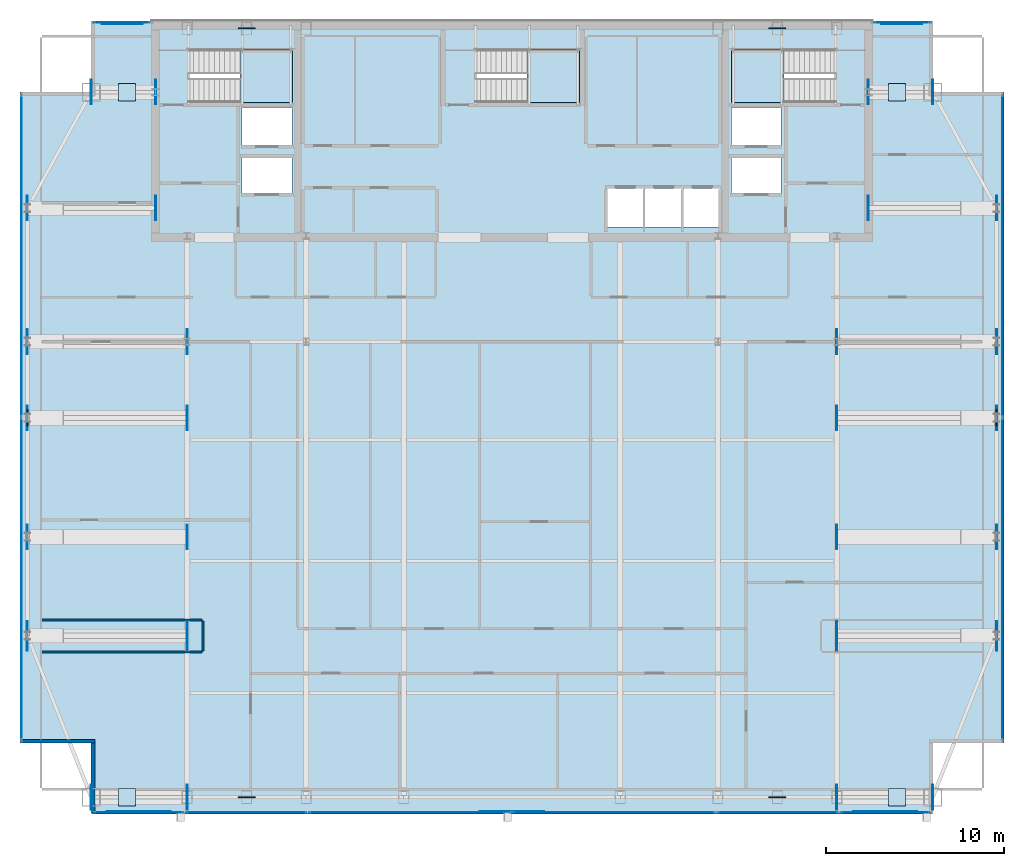
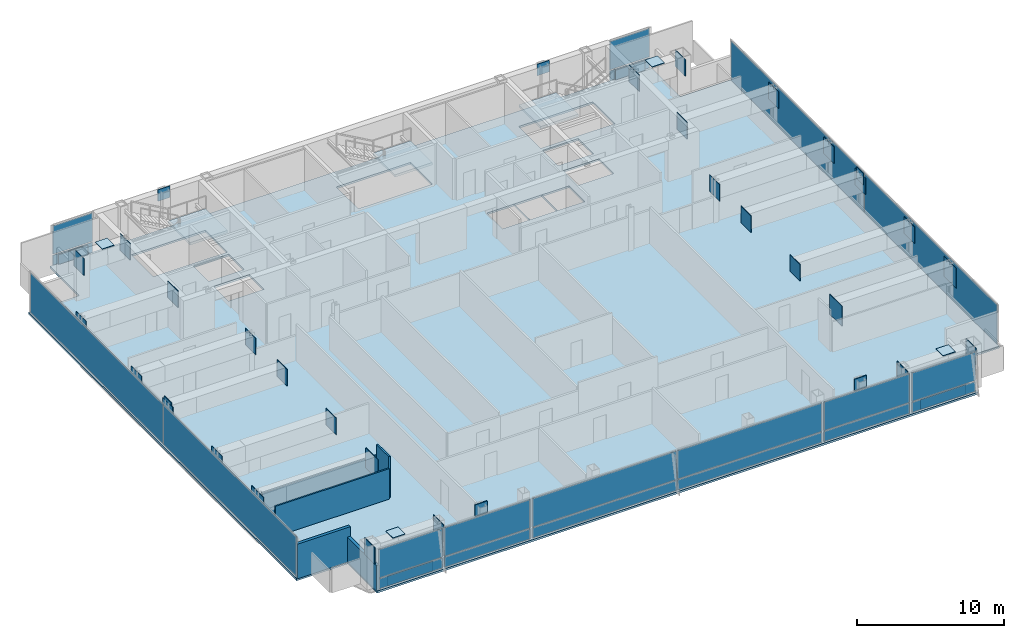
# One storey, part 20 of 26: 63 plates, 5 walls, 4 slabs, 12 elements without a shape of their own.
"""IFC4 building model written with IfcOpenShell, lengths in metres."""

from ifc_helpers import new_model, si_unit, direction, frame, frame_2d, origin, origin_2d, place, context, subcontext, project, spatial, polyline, rectangle, outline, extrude, material, layer, layer_set, type_object, element, aggregate, save


model = new_model("IFC4")

# Units and contexts
model_context = context("Model", 3, precision=1e-05, world=origin(), true_north=direction((0.0, 1.0)))
body_context = subcontext(model_context, "Body", "Model", "MODEL_VIEW")
ifc_project = project(units=[si_unit("LENGTHUNIT", "METRE"), si_unit("AREAUNIT", "SQUARE_METRE"), si_unit("VOLUMEUNIT", "CUBIC_METRE"), si_unit("PLANEANGLEUNIT", "RADIAN"), si_unit("MASSUNIT", "GRAM", prefix="KILO")], contexts=[model_context])

# Site, building, storey
site_placement = place(None, origin())
site = spatial("IfcSite", under=ifc_project, at=site_placement, CompositionType="ELEMENT")
building_placement = place(site_placement, origin())
building = spatial("IfcBuilding", under=site, at=building_placement, Name="Khoronbel Lancet Exchange", CompositionType="ELEMENT")
storey_placement = place(building_placement, frame((0.0, 0.0, 287.800048828125)))
storey = spatial("IfcBuildingStorey", under=building, at=storey_placement, Name="L74", CompositionType="ELEMENT", Elevation=287.800048828125)

# Curtain wall, plates
ifc_material_1 = material(Name="Low-E Solar Control Insulating Glass", Category="glass")
curtain_wall_type_1 = type_object("IfcCurtainWallType", Name="CW-4", PredefinedType="NOTDEFINED", material=ifc_material_1)
curtain_wall_1_placement = place(storey_placement, origin())
curtain_wall_1 = element("IfcCurtainWall", 1, at=curtain_wall_1_placement, inside=storey, type_object=curtain_wall_type_1, Name="Unitised curtain wall CW-L74-E03", PredefinedType="NOTDEFINED")
ifc_material_2 = material(Name="Bronze-Anodised Aluminium 6063-T6", Category="aluminium")
ifc_layer_1 = layer(ifc_material_2, 0.050048828125, Name="Bronze-Anodised Aluminium 6063-T6")
ifc_layer_set_1 = layer_set([ifc_layer_1], Name="Bronze-Anodised Aluminium 6063-T6")
plate_type_1 = type_object("IfcPlateType", Name="PLT-CSP1", PredefinedType="SHEET", material=ifc_layer_set_1)
plate_1_placement = place(storey_placement, frame((8.93994140625, 22.388671875, 0.0849609375), z_axis=(0.0, 0.0, 1.0), x_axis=(0.0, 1.0, 0.0)))
plate_1 = element("IfcPlate", 2, at=plate_1_placement, type_object=plate_type_1, Name="CW4 panel 1.1", PredefinedType="CURTAIN_PANEL", context=body_context, shape_type="SweptSolid", body=[
    extrude(rectangle(XDim=18.047607421875, YDim=0.0380859375, at=origin_2d()), origin(), (0.0, 0.0, 1.0), 3.27001953125),
])
plate_2_placement = place(storey_placement, frame((8.93994140625, 40.51123046875, 0.0849609375), z_axis=(0.0, 0.0, 1.0), x_axis=(0.0, 1.0, 0.0)))
plate_2 = element("IfcPlate", 3, at=plate_2_placement, type_object=plate_type_1, Name="CW4 panel 2.1", PredefinedType="CURTAIN_PANEL", context=body_context, shape_type="SweptSolid", body=[
    extrude(rectangle(XDim=18.047607421875, YDim=0.0380859375, at=origin_2d()), origin(), (0.0, 0.0, 1.0), 3.27001953125),
])
aggregate(curtain_wall_1, [plate_1, plate_2])

# Curtain wall, plate
curtain_wall_type_2 = type_object("IfcCurtainWallType", Name="CW-3", PredefinedType="NOTDEFINED", material=ifc_material_1)
curtain_wall_2_placement = place(storey_placement, origin())
curtain_wall_2 = element("IfcCurtainWall", 4, at=curtain_wall_2_placement, inside=storey, type_object=curtain_wall_type_2, Name="Unitised curtain wall CW-L74-NWFLK", PredefinedType="NOTDEFINED")
plate_3_placement = place(storey_placement, frame((14.580078125, 53.550048828125, 0.0498046875), z_axis=(0.0, 0.0, 1.0), x_axis=(-1.0, 0.0, 0.0)))
plate_3 = element("IfcPlate", 5, at=plate_3_placement, type_object=plate_type_1, Name="Insulated bronze spandrel cassette CW-L74-NWFLK", PredefinedType="SHEET", context=body_context, shape_type="SweptSolid", body=[
    extrude(rectangle(XDim=2.2958984375, YDim=0.050048828125, at=origin_2d()), origin(), (0.0, 0.0, 1.0), 0.800048828125),
])

curtain_wall_3_placement = place(storey_placement, origin())
curtain_wall_3 = element("IfcCurtainWall", 6, at=curtain_wall_3_placement, inside=storey, type_object=curtain_wall_type_2, Name="Unitised curtain wall CW-L74-NEFLK", PredefinedType="NOTDEFINED")
plate_4_placement = place(storey_placement, frame((58.320068359375, 53.550048828125, 0.0498046875), z_axis=(0.0, 0.0, 1.0), x_axis=(-1.0, 0.0, 0.0)))
plate_4 = element("IfcPlate", 7, at=plate_4_placement, type_object=plate_type_1, Name="Insulated bronze spandrel cassette CW-L74-NEFLK", PredefinedType="SHEET", context=body_context, shape_type="SweptSolid", body=[
    extrude(rectangle(XDim=2.2958984375, YDim=0.050048828125, at=origin_2d()), origin(), (0.0, 0.0, 1.0), 0.800048828125),
])

# Curtain wall, plates
curtain_wall_4_placement = place(storey_placement, origin())
curtain_wall_4 = element("IfcCurtainWall", 8, at=curtain_wall_4_placement, inside=storey, type_object=curtain_wall_type_1, Name="Unitised curtain wall CW-L74-E09", PredefinedType="NOTDEFINED")
plate_5_placement = place(storey_placement, frame((63.9599609375, 40.51123046875, 0.0849609375), z_axis=(0.0, 0.0, 1.0), x_axis=(0.0, -1.0, 0.0)))
plate_5 = element("IfcPlate", 9, at=plate_5_placement, type_object=plate_type_1, Name="CW4 panel 1.1", PredefinedType="CURTAIN_PANEL", context=body_context, shape_type="SweptSolid", body=[
    extrude(rectangle(XDim=18.047607421875, YDim=0.0380859375, at=origin_2d()), origin(), (0.0, 0.0, 1.0), 3.27001953125),
])
plate_6_placement = place(storey_placement, frame((63.9599609375, 22.388671875, 0.0849609375), z_axis=(0.0, 0.0, 1.0), x_axis=(0.0, -1.0, 0.0)))
plate_6 = element("IfcPlate", 10, at=plate_6_placement, type_object=plate_type_1, Name="CW4 panel 2.1", PredefinedType="CURTAIN_PANEL", context=body_context, shape_type="SweptSolid", body=[
    extrude(rectangle(XDim=18.047607421875, YDim=0.0380859375, at=origin_2d()), origin(), (0.0, 0.0, 1.0), 3.27001953125),
])
aggregate(curtain_wall_4, [plate_5, plate_6])

# Curtain wall, plate
curtain_wall_5_placement = place(storey_placement, origin())
curtain_wall_5 = element("IfcCurtainWall", 11, at=curtain_wall_5_placement, inside=storey, type_object=curtain_wall_type_2, Name="Unitised curtain wall CW-L74-SWV", PredefinedType="NOTDEFINED")
plate_7_placement = place(storey_placement, frame((15.52001953125, 9.35009765625, 0.0498046875), z_axis=(0.0, 0.0, 1.0), x_axis=(1.0, 0.0, 0.0)))
plate_7 = element("IfcPlate", 12, at=plate_7_placement, type_object=plate_type_1, Name="Insulated bronze spandrel cassette CW-L74-SWV", PredefinedType="SHEET", context=body_context, shape_type="SweptSolid", body=[
    extrude(rectangle(XDim=3.60009765625, YDim=0.050048828125, at=origin_2d()), origin(), (0.0, 0.0, 1.0), 0.800048828125),
])

# Curtain wall, plates
curtain_wall_6_placement = place(storey_placement, origin())
curtain_wall_6 = element("IfcCurtainWall", 13, at=curtain_wall_6_placement, inside=storey, type_object=curtain_wall_type_2, Name="Unitised curtain wall CW-L74-SWB", PredefinedType="NOTDEFINED")
plate_8_placement = place(storey_placement, frame((21.550048828125, 9.2900390625, 0.0849609375), z_axis=(0.0, 0.0, 1.0), x_axis=(1.0, 0.0, 0.0)))
plate_8 = element("IfcPlate", 14, at=plate_8_placement, type_object=plate_type_1, Name="CW3 panel 1.1", PredefinedType="CURTAIN_PANEL", context=body_context, shape_type="SweptSolid", body=[
    extrude(rectangle(XDim=6.72998046875, YDim=0.0380859375, at=origin_2d()), origin(), (0.0, 0.0, 1.0), 0.822509765625),
])
plate_9_placement = place(storey_placement, frame((21.550048828125, 9.2900390625, 0.9921875), z_axis=(0.0, 0.0, 1.0), x_axis=(1.0, 0.0, 0.0)))
plate_9 = element("IfcPlate", 15, at=plate_9_placement, type_object=plate_type_1, Name="CW3 panel 1.2", PredefinedType="CURTAIN_PANEL", context=body_context, shape_type="SweptSolid", body=[
    extrude(rectangle(XDim=6.72998046875, YDim=0.0380859375, at=origin_2d()), origin(), (0.0, 0.0, 1.0), 2.362548828125),
])
aggregate(curtain_wall_6, [plate_8, plate_9])

# Curtain wall, plate
curtain_wall_7_placement = place(storey_placement, origin())
curtain_wall_7 = element("IfcCurtainWall", 16, at=curtain_wall_7_placement, inside=storey, type_object=curtain_wall_type_2, Name="Unitised curtain wall CW-L74-SCV", PredefinedType="NOTDEFINED")
plate_10_placement = place(storey_placement, frame((36.449951171875, 9.35009765625, 0.0498046875), z_axis=(0.0, 0.0, 1.0), x_axis=(1.0, 0.0, 0.0)))
plate_10 = element("IfcPlate", 17, at=plate_10_placement, type_object=plate_type_1, Name="Insulated bronze spandrel cassette CW-L74-SCV", PredefinedType="SHEET", context=body_context, shape_type="SweptSolid", body=[
    extrude(rectangle(XDim=3.60009765625, YDim=0.050048828125, at=origin_2d()), origin(), (0.0, 0.0, 1.0), 0.800048828125),
])

# Curtain wall, plates
curtain_wall_8_placement = place(storey_placement, origin())
curtain_wall_8 = element("IfcCurtainWall", 18, at=curtain_wall_8_placement, inside=storey, type_object=curtain_wall_type_2, Name="Unitised curtain wall CW-L74-SEB", PredefinedType="NOTDEFINED")
plate_11_placement = place(storey_placement, frame((51.35009765625, 9.2900390625, 0.0849609375), z_axis=(0.0, 0.0, 1.0), x_axis=(1.0, 0.0, 0.0)))
plate_11 = element("IfcPlate", 19, at=plate_11_placement, type_object=plate_type_1, Name="CW3 panel 1.1", PredefinedType="CURTAIN_PANEL", context=body_context, shape_type="SweptSolid", body=[
    extrude(rectangle(XDim=6.72998046875, YDim=0.0380859375, at=origin_2d()), origin(), (0.0, 0.0, 1.0), 0.822509765625),
])
plate_12_placement = place(storey_placement, frame((51.35009765625, 9.2900390625, 0.9921875), z_axis=(0.0, 0.0, 1.0), x_axis=(1.0, 0.0, 0.0)))
plate_12 = element("IfcPlate", 20, at=plate_12_placement, type_object=plate_type_1, Name="CW3 panel 1.2", PredefinedType="CURTAIN_PANEL", context=body_context, shape_type="SweptSolid", body=[
    extrude(rectangle(XDim=6.72998046875, YDim=0.0380859375, at=origin_2d()), origin(), (0.0, 0.0, 1.0), 2.362548828125),
])
aggregate(curtain_wall_8, [plate_11, plate_12])

# Curtain wall, plate
curtain_wall_9_placement = place(storey_placement, origin())
curtain_wall_9 = element("IfcCurtainWall", 21, at=curtain_wall_9_placement, inside=storey, type_object=curtain_wall_type_2, Name="Unitised curtain wall CW-L74-SEV", PredefinedType="NOTDEFINED")
plate_13_placement = place(storey_placement, frame((57.3798828125, 9.35009765625, 0.0498046875), z_axis=(0.0, 0.0, 1.0), x_axis=(1.0, 0.0, 0.0)))
plate_13 = element("IfcPlate", 22, at=plate_13_placement, type_object=plate_type_1, Name="Insulated bronze spandrel cassette CW-L74-SEV", PredefinedType="SHEET", context=body_context, shape_type="SweptSolid", body=[
    extrude(rectangle(XDim=3.60009765625, YDim=0.050048828125, at=origin_2d()), origin(), (0.0, 0.0, 1.0), 0.800048828125),
])

# Plate
ifc_layer_2 = layer(ifc_material_1, 0.035888671875, Name="Low-E Solar Control Insulating Glass")
ifc_layer_set_2 = layer_set([ifc_layer_2], Name="Low-E Solar Control Insulating Glass")
plate_type_2 = type_object("IfcPlateType", Name="PLT-CWP1", PredefinedType="CURTAIN_PANEL", material=ifc_layer_set_2)
plate_14_placement = place(storey_placement, frame((14.580078125, 53.610107421875, 0.0849609375), z_axis=(0.0, 0.0, 1.0), x_axis=(-1.0, 0.0, 0.0)))
plate_14 = element("IfcPlate", 23, at=plate_14_placement, type_object=plate_type_2, Name="CW3 panel 1.1", PredefinedType="CURTAIN_PANEL", context=body_context, shape_type="SweptSolid", body=[
    extrude(rectangle(XDim=3.110107421875, YDim=0.0380859375, at=origin_2d()), origin(), (0.0, 0.0, 1.0), 0.822509765625),
])

plate_15_placement = place(storey_placement, frame((14.580078125, 53.610107421875, 0.9921875), z_axis=(0.0, 0.0, 1.0), x_axis=(-1.0, 0.0, 0.0)))
plate_15 = element("IfcPlate", 24, at=plate_15_placement, type_object=plate_type_2, Name="CW3 panel 1.2", PredefinedType="CURTAIN_PANEL", context=body_context, shape_type="SweptSolid", body=[
    extrude(rectangle(XDim=3.110107421875, YDim=0.0380859375, at=origin_2d()), origin(), (0.0, 0.0, 1.0), 2.362548828125),
])

aggregate(curtain_wall_2, [plate_14, plate_15, plate_3])

plate_16_placement = place(storey_placement, frame((58.320068359375, 53.610107421875, 0.0849609375), z_axis=(0.0, 0.0, 1.0), x_axis=(-1.0, 0.0, 0.0)))
plate_16 = element("IfcPlate", 25, at=plate_16_placement, type_object=plate_type_2, Name="CW3 panel 1.1", PredefinedType="CURTAIN_PANEL", context=body_context, shape_type="SweptSolid", body=[
    extrude(rectangle(XDim=3.110107421875, YDim=0.0380859375, at=origin_2d()), origin(), (0.0, 0.0, 1.0), 0.822509765625),
])

plate_17_placement = place(storey_placement, frame((58.320068359375, 53.610107421875, 0.9921875), z_axis=(0.0, 0.0, 1.0), x_axis=(-1.0, 0.0, 0.0)))
plate_17 = element("IfcPlate", 26, at=plate_17_placement, type_object=plate_type_2, Name="CW3 panel 1.2", PredefinedType="CURTAIN_PANEL", context=body_context, shape_type="SweptSolid", body=[
    extrude(rectangle(XDim=3.110107421875, YDim=0.0380859375, at=origin_2d()), origin(), (0.0, 0.0, 1.0), 2.362548828125),
])

aggregate(curtain_wall_3, [plate_16, plate_17, plate_4])

plate_18_placement = place(storey_placement, frame((15.52001953125, 9.2900390625, 0.0849609375), z_axis=(0.0, 0.0, 1.0), x_axis=(1.0, 0.0, 0.0)))
plate_18 = element("IfcPlate", 27, at=plate_18_placement, type_object=plate_type_2, Name="CW3 panel 1.1", PredefinedType="CURTAIN_PANEL", context=body_context, shape_type="SweptSolid", body=[
    extrude(rectangle(XDim=4.989990234375, YDim=0.0380859375, at=origin_2d()), origin(), (0.0, 0.0, 1.0), 0.822509765625),
])

plate_19_placement = place(storey_placement, frame((15.52001953125, 9.2900390625, 0.9921875), z_axis=(0.0, 0.0, 1.0), x_axis=(1.0, 0.0, 0.0)))
plate_19 = element("IfcPlate", 28, at=plate_19_placement, type_object=plate_type_2, Name="CW3 panel 1.2", PredefinedType="CURTAIN_PANEL", context=body_context, shape_type="SweptSolid", body=[
    extrude(rectangle(XDim=4.989990234375, YDim=0.0380859375, at=origin_2d()), origin(), (0.0, 0.0, 1.0), 2.362548828125),
])

aggregate(curtain_wall_5, [plate_18, plate_19, plate_7])

plate_20_placement = place(storey_placement, frame((30.746337890625, 9.2900390625, 0.0849609375), z_axis=(0.0, 0.0, 1.0), x_axis=(1.0, 0.0, 0.0)))
plate_20 = element("IfcPlate", 29, at=plate_20_placement, type_object=plate_type_2, Name="CW3 panel 1.1", PredefinedType="CURTAIN_PANEL", context=body_context, shape_type="SweptSolid", body=[
    extrude(rectangle(XDim=11.322509765625, YDim=0.0380859375, at=origin_2d()), origin(), (0.0, 0.0, 1.0), 0.822509765625),
])

plate_21_placement = place(storey_placement, frame((30.746337890625, 9.2900390625, 0.9921875), z_axis=(0.0, 0.0, 1.0), x_axis=(1.0, 0.0, 0.0)))
plate_21 = element("IfcPlate", 30, at=plate_21_placement, type_object=plate_type_2, Name="CW3 panel 1.2", PredefinedType="CURTAIN_PANEL", context=body_context, shape_type="SweptSolid", body=[
    extrude(rectangle(XDim=11.322509765625, YDim=0.0380859375, at=origin_2d()), origin(), (0.0, 0.0, 1.0), 2.362548828125),
])

plate_22_placement = place(storey_placement, frame((42.15380859375, 9.2900390625, 0.0849609375), z_axis=(0.0, 0.0, 1.0), x_axis=(1.0, 0.0, 0.0)))
plate_22 = element("IfcPlate", 31, at=plate_22_placement, type_object=plate_type_2, Name="CW3 panel 2.1", PredefinedType="CURTAIN_PANEL", context=body_context, shape_type="SweptSolid", body=[
    extrude(rectangle(XDim=11.322509765625, YDim=0.0380859375, at=origin_2d()), origin(), (0.0, 0.0, 1.0), 0.822509765625),
])

plate_23_placement = place(storey_placement, frame((42.15380859375, 9.2900390625, 0.9921875), z_axis=(0.0, 0.0, 1.0), x_axis=(1.0, 0.0, 0.0)))
plate_23 = element("IfcPlate", 32, at=plate_23_placement, type_object=plate_type_2, Name="CW3 panel 2.2", PredefinedType="CURTAIN_PANEL", context=body_context, shape_type="SweptSolid", body=[
    extrude(rectangle(XDim=11.322509765625, YDim=0.0380859375, at=origin_2d()), origin(), (0.0, 0.0, 1.0), 2.362548828125),
])

aggregate(curtain_wall_7, [plate_20, plate_21, plate_22, plate_23, plate_10])

plate_24_placement = place(storey_placement, frame((57.3798828125, 9.2900390625, 0.0849609375), z_axis=(0.0, 0.0, 1.0), x_axis=(1.0, 0.0, 0.0)))
plate_24 = element("IfcPlate", 33, at=plate_24_placement, type_object=plate_type_2, Name="CW3 panel 1.1", PredefinedType="CURTAIN_PANEL", context=body_context, shape_type="SweptSolid", body=[
    extrude(rectangle(XDim=4.989990234375, YDim=0.0380859375, at=origin_2d()), origin(), (0.0, 0.0, 1.0), 0.822509765625),
])

plate_25_placement = place(storey_placement, frame((57.3798828125, 9.2900390625, 0.9921875), z_axis=(0.0, 0.0, 1.0), x_axis=(1.0, 0.0, 0.0)))
plate_25 = element("IfcPlate", 34, at=plate_25_placement, type_object=plate_type_2, Name="CW3 panel 1.2", PredefinedType="CURTAIN_PANEL", context=body_context, shape_type="SweptSolid", body=[
    extrude(rectangle(XDim=4.989990234375, YDim=0.0380859375, at=origin_2d()), origin(), (0.0, 0.0, 1.0), 2.362548828125),
])

aggregate(curtain_wall_9, [plate_24, plate_25, plate_13])

# Plates
ifc_material_3 = material(Name="Steel S460", Category="steel")
ifc_layer_3 = layer(ifc_material_3, 0.044921875, Name="Steel S460")
ifc_layer_set_3 = layer_set([ifc_layer_3], Name="Steel S460")
plate_type_3 = type_object("IfcPlateType", Name="PLT-ECP1", PredefinedType="USERDEFINED", material=ifc_layer_set_3)
for number, where, z_axis, x_axis, name in (
    (35, (12.840087890625, 10.14990234375, 2.090087890625), (0.0, 0.0, 1.0), (-1.0, 0.0, 0.0), "Hollow end cap plate PLT-CAP-BM-L74-ZTG-MC-SW-0"),
    (36, (18.235107421875, 10.14990234375, 2.090087890625), (0.0, 0.0, 1.0), (1.0, 0.0, 0.0), "Hollow end cap plate PLT-CAP-BM-L74-ZTG-MC-SW-1"),
    (37, (54.6650390625, 10.14990234375, 2.090087890625), (0.0, 0.0, 1.0), (-1.0, 0.0, 0.0), "Hollow end cap plate PLT-CAP-BM-L74-ZTG-MC-SE-0"),
    (38, (60.06005859375, 10.14990234375, 2.090087890625), (0.0, 0.0, 1.0), (1.0, 0.0, 0.0), "Hollow end cap plate PLT-CAP-BM-L74-ZTG-MC-SE-1"),
    (39, (12.840087890625, 49.699951171875, 2.090087890625), (0.0, 0.0, 1.0), (-1.0, 0.0, 0.0), "Hollow end cap plate PLT-CAP-BM-L74-ZTG-MC-NW-0"),
    (40, (16.4599609375, 49.699951171875, 2.090087890625), (0.0, 0.0, 1.0), (1.0, 0.0, 0.0), "Hollow end cap plate PLT-CAP-BM-L74-ZTG-MC-NW-1"),
    (41, (56.43994140625, 49.699951171875, 2.090087890625), (0.0, 0.0, 1.0), (-1.0, 0.0, 0.0), "Hollow end cap plate PLT-CAP-BM-L74-ZTG-MC-NE-0"),
    (42, (60.06005859375, 49.699951171875, 2.090087890625), (0.0, 0.0, 1.0), (1.0, 0.0, 0.0), "Hollow end cap plate PLT-CAP-BM-L74-ZTG-MC-NE-1"),
):
    element("IfcPlate", number, at=place(storey_placement, frame(where, z_axis=z_axis, x_axis=x_axis)), inside=storey, type_object=plate_type_3, Name=name, ObjectType="STIFFENER_PLATE", PredefinedType="USERDEFINED", context=body_context, shape_type="SweptSolid", body=[
        extrude(rectangle(XDim=0.044921875, YDim=1.3798828125, at=origin_2d()), origin(), (0.0, 0.0, 1.0), 1.3798828125),
    ])
for number, where, z_axis, x_axis, name in (
    (43, (9.260009765625, 19.199951171875, 1.81005859375), (0.0, 0.0, 1.0), (-1.0, 0.0, 0.0), "Hollow end cap plate PLT-CAP-BM-L74-ZTG-LW1-0"),
    (44, (18.235107421875, 19.199951171875, 1.81005859375), (0.0, 0.0, 1.0), (1.0, 0.0, 0.0), "Hollow end cap plate PLT-CAP-BM-L74-ZTG-LW1-1"),
    (45, (54.6650390625, 19.199951171875, 1.81005859375), (0.0, 0.0, 1.0), (-1.0, 0.0, 0.0), "Hollow end cap plate PLT-CAP-BM-L74-ZTG-LE1-0"),
    (46, (63.639892578125, 19.199951171875, 1.81005859375), (0.0, 0.0, 1.0), (1.0, 0.0, 0.0), "Hollow end cap plate PLT-CAP-BM-L74-ZTG-LE1-1"),
):
    element("IfcPlate", number, at=place(storey_placement, frame(where, z_axis=z_axis, x_axis=x_axis)), inside=storey, type_object=plate_type_3, Name=name, ObjectType="STIFFENER_PLATE", PredefinedType="USERDEFINED", context=body_context, shape_type="SweptSolid", body=[
        extrude(rectangle(XDim=0.044921875, YDim=1.659912109375, at=origin_2d()), origin(), (0.0, 0.0, 1.0), 1.659912109375),
    ])
for number, where, z_axis, x_axis, name in (
    (47, (9.260009765625, 24.75, 2.090087890625), (0.0, 0.0, 1.0), (-1.0, 0.0, 0.0), "Hollow end cap plate PLT-CAP-BM-L74-ZTG-LW2-0"),
    (48, (18.235107421875, 24.75, 2.090087890625), (0.0, 0.0, 1.0), (1.0, 0.0, 0.0), "Hollow end cap plate PLT-CAP-BM-L74-ZTG-LW2-1"),
    (49, (54.6650390625, 24.75, 2.090087890625), (0.0, 0.0, 1.0), (-1.0, 0.0, 0.0), "Hollow end cap plate PLT-CAP-BM-L74-ZTG-LE2-0"),
    (50, (63.639892578125, 24.75, 2.090087890625), (0.0, 0.0, 1.0), (1.0, 0.0, 0.0), "Hollow end cap plate PLT-CAP-BM-L74-ZTG-LE2-1"),
    (51, (9.260009765625, 31.425048828125, 2.090087890625), (0.0, 0.0, 1.0), (-1.0, 0.0, 0.0), "Hollow end cap plate PLT-CAP-BM-L74-ZTG-LW3-0"),
    (52, (18.235107421875, 31.425048828125, 2.090087890625), (0.0, 0.0, 1.0), (1.0, 0.0, 0.0), "Hollow end cap plate PLT-CAP-BM-L74-ZTG-LW3-1"),
    (53, (54.6650390625, 31.425048828125, 2.090087890625), (0.0, 0.0, 1.0), (-1.0, 0.0, 0.0), "Hollow end cap plate PLT-CAP-BM-L74-ZTG-LE3-0"),
    (54, (63.639892578125, 31.425048828125, 2.090087890625), (0.0, 0.0, 1.0), (1.0, 0.0, 0.0), "Hollow end cap plate PLT-CAP-BM-L74-ZTG-LE3-1"),
    (55, (9.260009765625, 35.699951171875, 2.090087890625), (0.0, 0.0, 1.0), (-1.0, 0.0, 0.0), "Hollow end cap plate PLT-CAP-BM-L74-ZTG-LW4-0"),
    (56, (18.235107421875, 35.699951171875, 2.090087890625), (0.0, 0.0, 1.0), (1.0, 0.0, 0.0), "Hollow end cap plate PLT-CAP-BM-L74-ZTG-LW4-1"),
    (57, (54.6650390625, 35.699951171875, 2.090087890625), (0.0, 0.0, 1.0), (-1.0, 0.0, 0.0), "Hollow end cap plate PLT-CAP-BM-L74-ZTG-LE4-0"),
    (58, (63.639892578125, 35.699951171875, 2.090087890625), (0.0, 0.0, 1.0), (1.0, 0.0, 0.0), "Hollow end cap plate PLT-CAP-BM-L74-ZTG-LE4-1"),
    (59, (9.260009765625, 43.199951171875, 2.090087890625), (0.0, 0.0, 1.0), (-1.0, 0.0, 0.0), "Hollow end cap plate PLT-CAP-BM-L74-ZTG-LW5-0"),
    (60, (16.4599609375, 43.199951171875, 2.090087890625), (0.0, 0.0, 1.0), (1.0, 0.0, 0.0), "Hollow end cap plate PLT-CAP-BM-L74-ZTG-LW5-1"),
    (61, (56.43994140625, 43.199951171875, 2.090087890625), (0.0, 0.0, 1.0), (-1.0, 0.0, 0.0), "Hollow end cap plate PLT-CAP-BM-L74-ZTG-LE5-0"),
    (62, (63.639892578125, 43.199951171875, 2.090087890625), (0.0, 0.0, 1.0), (1.0, 0.0, 0.0), "Hollow end cap plate PLT-CAP-BM-L74-ZTG-LE5-1"),
):
    element("IfcPlate", number, at=place(storey_placement, frame(where, z_axis=z_axis, x_axis=x_axis)), inside=storey, type_object=plate_type_3, Name=name, ObjectType="STIFFENER_PLATE", PredefinedType="USERDEFINED", context=body_context, shape_type="SweptSolid", body=[
        extrude(rectangle(XDim=0.044921875, YDim=1.3798828125, at=origin_2d()), origin(), (0.0, 0.0, 1.0), 1.3798828125),
    ])
plate_26_placement = place(storey_placement, frame((0.0, 0.0, 3.56689453125)))
element("IfcPlate", 63, at=plate_26_placement, inside=storey, type_object=plate_type_3, Name="Hollow end cap plate PLT-CAP-COL-L75-MC-SW-BOT", ObjectType="STIFFENER_PLATE", PredefinedType="USERDEFINED", context=body_context, shape_type="SweptSolid", body=[
    extrude(outline(polyline([(14.3701171875, 9.669921875), (15.330078125, 9.669921875), (15.330078125, 10.6298828125), (14.3701171875, 10.6298828125), (14.3701171875, 9.669921875)])), origin(), (0.0, 0.0, 1.0), 0.045166015625),
])
plate_27_placement = place(storey_placement, frame((0.0, 0.0, 3.56689453125)))
element("IfcPlate", 64, at=plate_27_placement, inside=storey, type_object=plate_type_3, Name="Hollow end cap plate PLT-CAP-COL-L75-MC-SE-BOT", ObjectType="STIFFENER_PLATE", PredefinedType="USERDEFINED", context=body_context, shape_type="SweptSolid", body=[
    extrude(outline(polyline([(57.570068359375, 9.669921875), (58.530029296875, 9.669921875), (58.530029296875, 10.6298828125), (57.570068359375, 10.6298828125), (57.570068359375, 9.669921875)])), origin(), (0.0, 0.0, 1.0), 0.045166015625),
])
plate_28_placement = place(storey_placement, frame((0.0, 0.0, 3.56689453125)))
element("IfcPlate", 65, at=plate_28_placement, inside=storey, type_object=plate_type_3, Name="Hollow end cap plate PLT-CAP-COL-L75-MC-NE-BOT", ObjectType="STIFFENER_PLATE", PredefinedType="USERDEFINED", context=body_context, shape_type="SweptSolid", body=[
    extrude(outline(polyline([(57.570068359375, 49.219970703125), (58.530029296875, 49.219970703125), (58.530029296875, 50.179931640625), (57.570068359375, 50.179931640625), (57.570068359375, 49.219970703125)])), origin(), (0.0, 0.0, 1.0), 0.045166015625),
])
plate_29_placement = place(storey_placement, frame((0.0, 0.0, 3.56689453125)))
element("IfcPlate", 66, at=plate_29_placement, inside=storey, type_object=plate_type_3, Name="Hollow end cap plate PLT-CAP-COL-L75-MC-NW-BOT", ObjectType="STIFFENER_PLATE", PredefinedType="USERDEFINED", context=body_context, shape_type="SweptSolid", body=[
    extrude(outline(polyline([(14.3701171875, 49.219970703125), (15.330078125, 49.219970703125), (15.330078125, 50.179931640625), (14.3701171875, 50.179931640625), (14.3701171875, 49.219970703125)])), origin(), (0.0, 0.0, 1.0), 0.045166015625),
])
ifc_layer_4 = layer(ifc_material_3, 0.06005859375, Name="Steel S460")
ifc_layer_set_4 = layer_set([ifc_layer_4], Name="Steel S460")
plate_type_4 = type_object("IfcPlateType", Name="PLT-ND3", PredefinedType="USERDEFINED", material=ifc_layer_set_4)
for number, where, z_axis, x_axis, name in (
    (67, (21.5625, 10.14990234375, 2.77490234375), (0.0, 0.0, 1.0), (1.0, 0.0, 0.0), "ND3 perimeter brace node gusset T25-S-W"),
    (68, (51.33740234375, 10.14990234375, 2.77490234375), (0.0, 0.0, 1.0), (1.0, 0.0, 0.0), "ND3 perimeter brace node gusset T25-S-E"),
    (69, (21.5625, 53.280029296875, 2.77490234375), (0.0, 0.0, 1.0), (1.0, 0.0, 0.0), "ND3 perimeter brace node gusset T25-N-W"),
    (70, (51.33740234375, 53.280029296875, 2.77490234375), (0.0, 0.0, 1.0), (1.0, 0.0, 0.0), "ND3 perimeter brace node gusset T25-N-E"),
    (71, (9.27001953125, 31.425048828125, 2.77490234375), (0.0, 0.0, 1.0), (0.0, 1.0, 0.0), "ND3 perimeter brace node gusset T25-W-P"),
    (72, (63.6298828125, 31.425048828125, 2.77490234375), (0.0, 0.0, 1.0), (0.0, 1.0, 0.0), "ND3 perimeter brace node gusset T25-E-P"),
):
    element("IfcPlate", number, at=place(storey_placement, frame(where, z_axis=z_axis, x_axis=x_axis)), inside=storey, type_object=plate_type_4, Name=name, ObjectType="GUSSET_PLATE", PredefinedType="USERDEFINED", context=body_context, shape_type="SweptSolid", body=[
        extrude(rectangle(XDim=0.949951171875, YDim=0.06005859375, at=origin_2d()), origin(), (0.0, 0.0, 1.0), 0.949951171875),
    ])

# Slab
ifc_material_4 = material(Name="Concrete C40/50", Category="concrete")
ifc_layer_5 = layer(ifc_material_4, 0.159912109375, Name="Concrete C40/50")
ifc_layer_set_5 = layer_set([ifc_layer_5], Name="Concrete C40/50")
slab_type_1 = type_object("IfcSlabType", Name="SL-FL160", PredefinedType="FLOOR", material=ifc_layer_set_5)
slab_1_placement = place(storey_placement, frame((0.0, 0.0, -0.16015625)))
element("IfcSlab", 73, at=slab_1_placement, inside=storey, type_object=slab_type_1, Name="Level L74 composite structural floor slab", PredefinedType="FLOOR", context=body_context, shape_type="SweptSolid", body=[
    extrude(outline(polyline([(12.85009765625, 9.199951171875), (60.050048828125, 9.199951171875), (60.050048828125, 13.199951171875), (64.050048828125, 13.199951171875), (64.050048828125, 17.199951171875), (64.050048828125, 45.699951171875), (64.050048828125, 49.699951171875), (60.050048828125, 49.699951171875), (60.050048828125, 53.699951171875), (12.85009765625, 53.699951171875), (12.85009765625, 49.699951171875), (8.85009765625, 49.699951171875), (8.85009765625, 45.699951171875), (8.85009765625, 17.199951171875), (8.85009765625, 13.199951171875), (12.85009765625, 13.199951171875), (12.85009765625, 9.199951171875)]), holes=[polyline([(18.324951171875, 49.1201171875), (24.14990234375, 49.1201171875), (24.14990234375, 52.10009765625), (18.324951171875, 52.10009765625), (18.324951171875, 49.1201171875)]), polyline([(48.75, 49.1201171875), (54.574951171875, 49.1201171875), (54.574951171875, 52.10009765625), (48.75, 52.10009765625), (48.75, 49.1201171875)]), polyline([(34.425048828125, 49.1201171875), (40.25, 49.1201171875), (40.25, 52.10009765625), (34.425048828125, 52.10009765625), (34.425048828125, 49.1201171875)]), polyline([(41.739990234375, 42.14990234375), (43.8798828125, 42.14990234375), (43.8798828125, 44.300048828125), (41.739990234375, 44.300048828125), (41.739990234375, 42.14990234375)]), polyline([(43.89990234375, 42.14990234375), (46.0400390625, 42.14990234375), (46.0400390625, 44.300048828125), (43.89990234375, 44.300048828125), (43.89990234375, 42.14990234375)]), polyline([(46.06005859375, 42.14990234375), (48.199951171875, 42.14990234375), (48.199951171875, 44.300048828125), (46.06005859375, 44.300048828125), (46.06005859375, 42.14990234375)]), polyline([(21.300048828125, 46.75), (24.10009765625, 46.75), (24.10009765625, 48.85009765625), (21.300048828125, 48.85009765625), (21.300048828125, 46.75)]), polyline([(48.75, 46.75), (51.550048828125, 46.75), (51.550048828125, 48.85009765625), (48.75, 48.85009765625), (48.75, 46.75)]), polyline([(21.300048828125, 44.050048828125), (24.10009765625, 44.050048828125), (24.10009765625, 46.050048828125), (21.300048828125, 46.050048828125), (21.300048828125, 44.050048828125)]), polyline([(48.75, 44.050048828125), (51.550048828125, 44.050048828125), (51.550048828125, 46.050048828125), (48.75, 46.050048828125), (48.75, 44.050048828125)])]), origin(), (0.0, 0.0, 1.0), 0.16015625),
])

# Stair, slab
stair_type = type_object("IfcStairType", Name="STR-CORE150", PredefinedType="HALF_TURN_STAIR", material=ifc_material_4)
stair_1_placement = place(storey_placement, origin())
stair_1 = element("IfcStair", 74, at=stair_1_placement, inside=storey, type_object=stair_type, Name="L74 Protected Exit Stair ST1", PredefinedType="HALF_TURN_STAIR")
ifc_layer_6 = layer(ifc_material_4, 0.199951171875, Name="Concrete C40/50")
ifc_layer_set_6 = layer_set([ifc_layer_6], Name="Concrete C40/50")
slab_type_2 = type_object("IfcSlabType", Name="SL-LND180", PredefinedType="LANDING", material=ifc_layer_set_6)
slab_2_placement = place(storey_placement, frame((0.0, 0.0, 1.599853515625)))
slab_2 = element("IfcSlab", 75, at=slab_2_placement, type_object=slab_type_2, Name="ST1 landing 1", PredefinedType="LANDING", context=body_context, shape_type="SweptSolid", body=[
    extrude(outline(polyline([(21.199951171875, 49.1201171875), (24.14990234375, 49.1201171875), (24.14990234375, 52.10009765625), (21.199951171875, 52.10009765625), (21.199951171875, 49.1201171875)])), origin(), (0.0, 0.0, 1.0), 0.2001953125),
])
aggregate(stair_1, [slab_2])

stair_2_placement = place(storey_placement, origin())
stair_2 = element("IfcStair", 76, at=stair_2_placement, inside=storey, type_object=stair_type, Name="L74 Protected Exit Stair ST2", PredefinedType="HALF_TURN_STAIR")
slab_3_placement = place(storey_placement, frame((0.0, 0.0, 1.599853515625)))
slab_3 = element("IfcSlab", 77, at=slab_3_placement, type_object=slab_type_2, Name="ST2 landing 1", PredefinedType="LANDING", context=body_context, shape_type="SweptSolid", body=[
    extrude(outline(polyline([(51.699951171875, 52.10009765625), (48.75, 52.10009765625), (48.75, 49.1201171875), (51.699951171875, 49.1201171875), (51.699951171875, 52.10009765625)])), origin(), (0.0, 0.0, 1.0), 0.2001953125),
])
aggregate(stair_2, [slab_3])

stair_3_placement = place(storey_placement, origin())
stair_3 = element("IfcStair", 78, at=stair_3_placement, inside=storey, type_object=stair_type, Name="L74 Protected Exit Stair ST3", PredefinedType="HALF_TURN_STAIR")
slab_4_placement = place(storey_placement, frame((0.0, 0.0, 1.599853515625)))
slab_4 = element("IfcSlab", 79, at=slab_4_placement, type_object=slab_type_2, Name="ST3 landing 1", PredefinedType="LANDING", context=body_context, shape_type="SweptSolid", body=[
    extrude(outline(polyline([(37.300048828125, 49.1201171875), (40.25, 49.1201171875), (40.25, 52.10009765625), (37.300048828125, 52.10009765625), (37.300048828125, 49.1201171875)])), origin(), (0.0, 0.0, 1.0), 0.2001953125),
])
aggregate(stair_3, [slab_4])

# Walls
ifc_material_5 = material(Name="Precast concrete C40/50", Category="concrete")
ifc_layer_7 = layer(ifc_material_5, 0.25, Name="Precast concrete C40/50")
ifc_layer_set_7 = layer_set([ifc_layer_7], Name="Precast concrete C40/50")
wall_type_1 = type_object("IfcWallType", Name="WL-EXT250", PredefinedType="SOLIDWALL", material=ifc_layer_set_7)
wall_1_placement = place(storey_placement, frame((12.93994140625, 9.27001953125, 0.0), z_axis=(0.0, 0.0, 1.0), x_axis=(0.0, 1.0, 0.0)))
element("IfcWall", 80, at=wall_1_placement, inside=storey, type_object=wall_type_1, Name="Level L74 notched-corner limestone pier 01", PredefinedType="SOLIDWALL", context=body_context, shape_type="SweptSolid", body=[
    extrude(rectangle(XDim=3.909912109375, YDim=0.219970703125, at=frame_2d((1.955078125, 0.0))), origin(), (0.0, 0.0, 1.0), 2.08984375),
])
wall_2_placement = place(storey_placement, frame((13.050048828125, 13.2900390625, 0.0), z_axis=(0.0, 0.0, 1.0), x_axis=(-1.0, 0.0, 0.0)))
element("IfcWall", 81, at=wall_2_placement, inside=storey, type_object=wall_type_1, Name="Level L74 notched-corner limestone pier 02", PredefinedType="SOLIDWALL", context=body_context, shape_type="SweptSolid", body=[
    extrude(rectangle(XDim=4.130126953125, YDim=0.219970703125, at=frame_2d((2.06494140625, 0.0))), origin(), (0.0, 0.0, 1.0), 2.8798828125),
])
ifc_material_6 = material(Name="Acoustic Metal-Stud & Mineral-Wool Gypsum Partition 120 mm", Category="gypsum")
ifc_layer_8 = layer(ifc_material_6, 0.1201171875, Name="Acoustic Metal-Stud & Mineral-Wool Gypsum Partition 120 mm")
ifc_layer_set_8 = layer_set([ifc_layer_8], Name="Acoustic Metal-Stud & Mineral-Wool Gypsum Partition 120 mm")
wall_type_2 = type_object("IfcWallType", Name="WL-PRT120", PredefinedType="PARTITIONING", material=ifc_layer_set_8)
for number, where, z_axis, x_axis, name in (
    (82, (10.094970703125, 18.300048828125, 0.0), (0.0, 0.0, 1.0), (1.0, 0.0, 0.0), "Level L74 interior partition PW-BLK-WS"),
    (83, (10.094970703125, 20.10009765625, 0.0), (0.0, 0.0, 1.0), (1.0, 0.0, 0.0), "Level L74 interior partition PW-BLK-WN"),
):
    element("IfcWall", number, at=place(storey_placement, frame(where, z_axis=z_axis, x_axis=x_axis)), inside=storey, type_object=wall_type_2, Name=name, PredefinedType="PARTITIONING", context=body_context, shape_type="SweptSolid", body=[
        extrude(rectangle(XDim=8.9599609375, YDim=0.1201171875, at=frame_2d((4.47998046875, 0.0))), origin(), (0.0, 0.0, 1.0), 2.530029296875),
    ])
wall_3_placement = place(storey_placement, frame((19.1201171875, 18.364990234375, 0.0), z_axis=(0.0, 0.0, 1.0), x_axis=(0.0, 1.0, 0.0)))
element("IfcWall", 84, at=wall_3_placement, inside=storey, type_object=wall_type_2, Name="Level L74 interior partition PW-BLK-WE", PredefinedType="PARTITIONING", context=body_context, shape_type="SweptSolid", body=[
    extrude(rectangle(XDim=1.669921875, YDim=0.1201171875, at=frame_2d((0.8349609375, 0.0))), origin(), (0.0, 0.0, 1.0), 3.43994140625),
])

save(model, "model.ifc")
